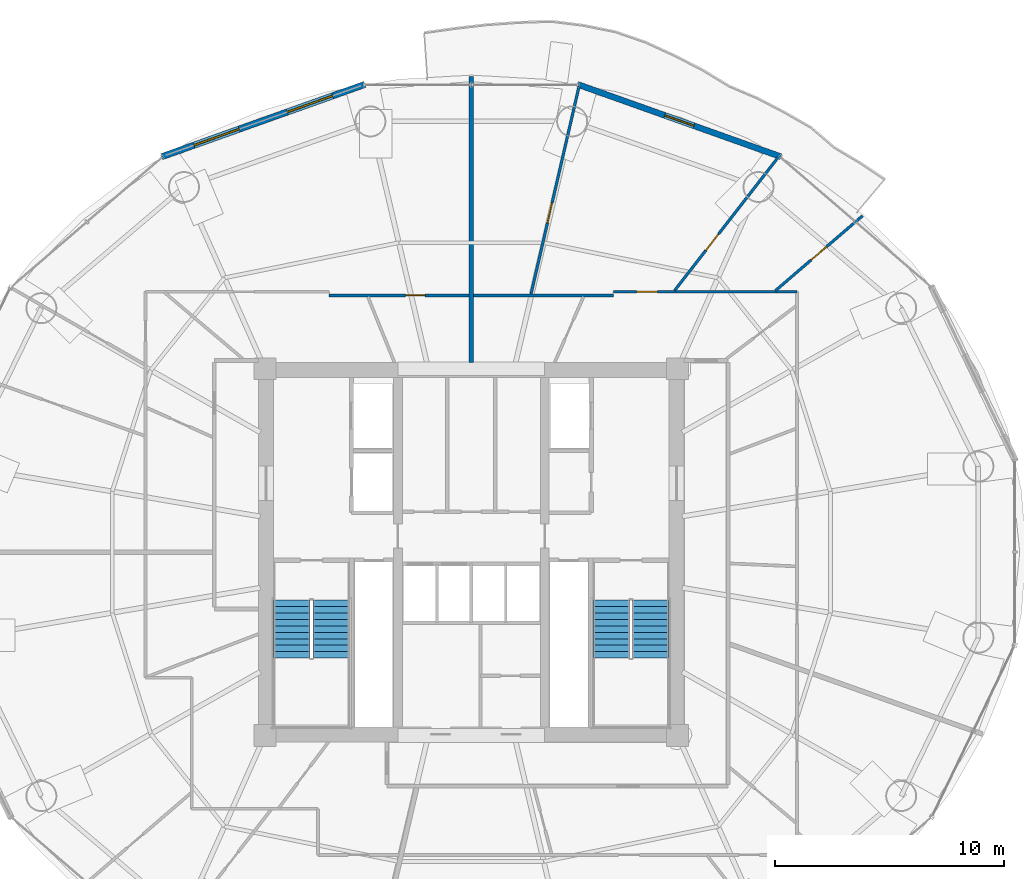
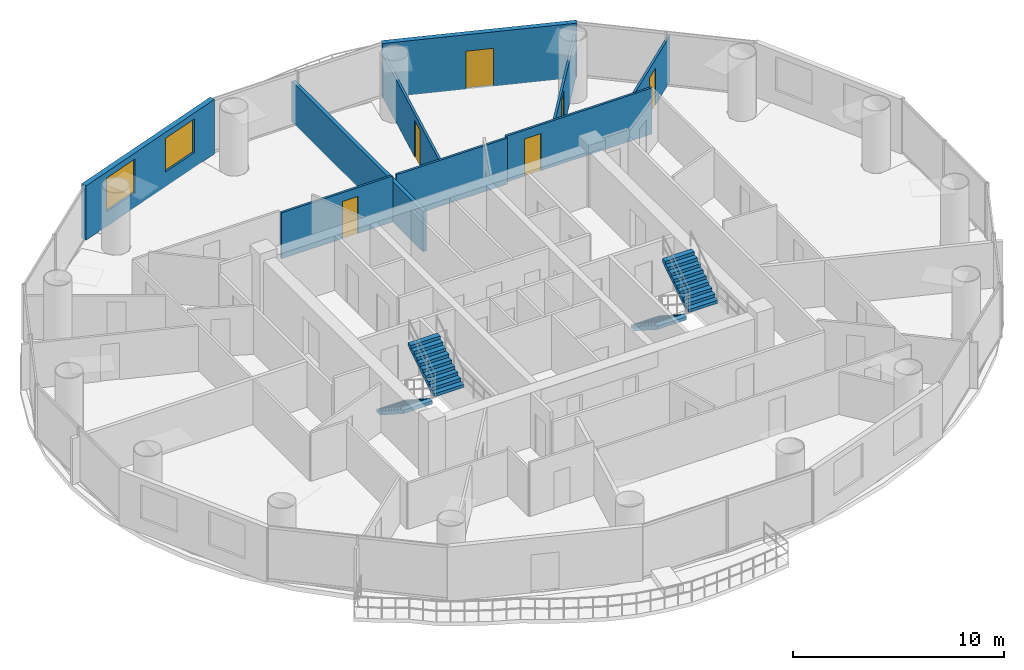
# One storey, part 23 of 26: 9 walls, 6 doors, 4 stair flights, 2 windows, 8 openings, 2 elements without a shape of their own.
"""IFC4 building model written with IfcOpenShell, lengths in metres."""

from ifc_helpers import new_model, si_unit, direction, frame, frame_2d, origin, place, context, subcontext, project, spatial, polyline, rectangle, outline, extrude, source, transform, mapped, material, layer, layer_set, type_object, element, fill, aggregate, save


model = new_model("IFC4")

# Units and contexts
model_context = context("Model", 3, precision=1e-05, world=origin(), true_north=direction((-0.2419218956, 0.970295726276)))
body_context = subcontext(model_context, "Body", "Model", "MODEL_VIEW")
ifc_project = project(units=[si_unit("LENGTHUNIT", "METRE"), si_unit("AREAUNIT", "SQUARE_METRE"), si_unit("VOLUMEUNIT", "CUBIC_METRE"), si_unit("PLANEANGLEUNIT", "RADIAN"), si_unit("MASSUNIT", "GRAM", prefix="KILO")], contexts=[model_context])

# Site, building, storey
site_placement = place(None, origin())
site = spatial("IfcSite", under=ifc_project, at=site_placement, CompositionType="ELEMENT")
building_placement = place(site_placement, origin())
building = spatial("IfcBuilding", under=site, at=building_placement, Name="Cobrevalo Terracotta Tower", CompositionType="ELEMENT")
storey_placement = place(building_placement, frame((0.0, 0.0, 182.199951171875)))
storey = spatial("IfcBuildingStorey", under=building, at=storey_placement, Name="L48", CompositionType="ELEMENT", Elevation=182.199951171875)

# Wall
ifc_material_1 = material(Name="Autoclaved aerated concrete block", Category="concrete")
ifc_layer_1 = layer(ifc_material_1, 0.199951171875)
ifc_layer_set_1 = layer_set([ifc_layer_1], Name="Autoclaved aerated concrete block")
wall_type_1 = type_object("IfcWallType", Name="Fire-rated stair, shaft & demising masonry wall 200 mm", PredefinedType="PARTITIONING", material=ifc_layer_set_1)
wall_1_placement = place(storey_placement, frame((38.0, 35.074951171875, 0.0), z_axis=(0.0, 0.0, 1.0), x_axis=(0.0, 1.0, 0.0)))
element("IfcWall", 1, at=wall_1_placement, inside=storey, type_object=wall_type_1, Name="L48 interior partition IW-L48-DEM-2", PredefinedType="PARTITIONING", context=body_context, shape_type="SweptSolid", body=[
    extrude(rectangle(XDim=12.465087890625, YDim=0.199951171875, at=frame_2d((6.232421875, 0.0))), origin(), (0.0, 0.0, 1.0), 2.340087890625),
])

# Wall, openings, windows
ifc_layer_2 = layer(ifc_material_1, 0.280029296875)
ifc_layer_set_2 = layer_set([ifc_layer_2], Name="Autoclaved aerated concrete block")
wall_type_2 = type_object("IfcWallType", Name="Insulated tower spandrel & pier wall 280 mm with terracotta rainscreen", PredefinedType="SOLIDWALL", material=ifc_layer_set_2)
wall_2_placement = place(storey_placement, frame((33.360107421875, 47.19775390625, 0.0), z_axis=(0.0, 0.0, 1.0), x_axis=(-0.942095406405, -0.335344964522, 0.0)))
wall_2 = element("IfcWall", 2, at=wall_2_placement, inside=storey, type_object=wall_type_2, Name="L48 terracotta rainscreen pier wall S05", PredefinedType="SOLIDWALL", context=body_context, shape_type="SweptSolid", body=[
    extrude(rectangle(XDim=9.408203125, YDim=0.280029296875, at=frame_2d((4.7041015625, 0.0))), origin(), (0.0, 0.0, 1.0), 3.150146484375),
])
opening_1_placement = place(wall_2_placement, frame((1.490234375, 0.0, 0.85009765625)))
opening_1 = element("IfcOpeningElement", 3, at=opening_1_placement, cuts=wall_2, Name="Opening WN-10", PredefinedType="OPENING", context=body_context, shape_type="SweptSolid", body=[
    extrude(rectangle(XDim=2.10009765625, YDim=1.949951171875, at=frame_2d((1.050048828125, 0.97509765625))), frame((0.0, 0.14990234375, 0.0), z_axis=(0.0, -1.0, 0.0), x_axis=(1.0, 0.0, 0.0)), (0.0, 0.0, 1.0), 0.300048828125),
])
opening_2_placement = place(wall_2_placement, frame((5.818115234375, 0.0, 0.85009765625)))
opening_2 = element("IfcOpeningElement", 4, at=opening_2_placement, cuts=wall_2, Name="Opening WN-10", PredefinedType="OPENING", context=body_context, shape_type="SweptSolid", body=[
    extrude(rectangle(XDim=2.10009765625, YDim=1.949951171875, at=frame_2d((1.050048828125, 0.97509765625))), frame((0.0, 0.14990234375, 0.0), z_axis=(0.0, -1.0, 0.0), x_axis=(1.0, 0.0, 0.0)), (0.0, 0.0, 1.0), 0.300048828125),
])
ifc_material_2 = material(Name="Solar-control low-E double glazing", Category="glass")
window_type = type_object("IfcWindowType", Name="Wide panoramic low-E aluminium window 2100x1950", PartitioningType="SINGLE_PANEL", PredefinedType="WINDOW", material=ifc_material_2)
shared_shape_1 = source(origin(), body_context, "Body", "SweptSolid", [
    extrude(rectangle(XDim=2.10009765625, YDim=1.949951171875, at=frame_2d((1.050048828125, 0.97509765625))), frame((0.0, 0.030029296875, 0.0), z_axis=(0.0, -1.0, 0.0), x_axis=(1.0, 0.0, 0.0)), (0.0, 0.0, 1.0), 0.06005859375),
])
window_1_placement = place(opening_1_placement, origin())
window_1 = element("IfcWindow", 5, at=window_1_placement, inside=storey, type_object=window_type, Name="L48 suite window S05A", OverallHeight=1.949951171875, OverallWidth=2.10009765625, PartitioningType="SINGLE_PANEL", PredefinedType="WINDOW", context=body_context, shape_type="MappedRepresentation", body=[
    mapped(shared_shape_1, transform((0.0, 0.0, 0.0), scale=1.0)),
])
fill(opening_1, window_1)
window_2_placement = place(opening_2_placement, origin())
window_2 = element("IfcWindow", 6, at=window_2_placement, inside=storey, type_object=window_type, Name="L48 suite window S05B", OverallHeight=1.949951171875, OverallWidth=2.10009765625, PartitioningType="SINGLE_PANEL", PredefinedType="WINDOW", context=body_context, shape_type="MappedRepresentation", body=[
    mapped(shared_shape_1, transform((0.0, 0.0, 0.0), scale=1.0)),
])
fill(opening_2, window_2)

# Wall, opening, door
ifc_layer_3 = layer(ifc_material_1, 0.260009765625)
ifc_layer_set_3 = layer_set([ifc_layer_3], Name="Autoclaved aerated concrete block")
wall_type_3 = type_object("IfcWallType", Name="Recessed balcony loggia insulated exterior wall 260 mm", PredefinedType="SOLIDWALL", material=ifc_layer_set_3)
wall_3_placement = place(storey_placement, frame((51.50341796875, 44.042724609375, 0.0), z_axis=(0.0, 0.0, 1.0), x_axis=(-0.942095406405, 0.335344964522, 0.0)))
wall_3 = element("IfcWall", 7, at=wall_3_placement, inside=storey, type_object=wall_type_3, Name="L48 balcony loggia wall S03", PredefinedType="SOLIDWALL", context=body_context, shape_type="SweptSolid", body=[
    extrude(rectangle(XDim=9.408203125, YDim=0.260009765625, at=frame_2d((4.7041015625, 0.0))), origin(), (0.0, 0.0, 1.0), 3.150146484375),
])
opening_3_placement = place(wall_3_placement, frame((4.029052734375, 0.0, 0.0)))
opening_3 = element("IfcOpeningElement", 8, at=opening_3_placement, cuts=wall_3, Name="Opening ED-05", PredefinedType="OPENING", context=body_context, shape_type="SweptSolid", body=[
    extrude(rectangle(XDim=1.35009765625, YDim=2.199951171875, at=frame_2d((0.675048828125, 1.10009765625))), frame((0.0, 0.14013671875, 0.0), z_axis=(0.0, -1.0, 0.0), x_axis=(1.0, 0.0, 0.0)), (0.0, 0.0, 1.0), 0.280029296875),
])
ifc_material_3 = material(Name="Anodized aluminium and laminated glass", Category="aluminium")
door_type_1 = type_object("IfcDoorType", Name="Suite balcony acoustic glazed terrace door 1350x2200", OperationType="NOTDEFINED", PredefinedType="DOOR", material=ifc_material_3)
shared_shape_2 = source(origin(), body_context, "Body", "SweptSolid", [
    extrude(rectangle(XDim=1.35009765625, YDim=2.199951171875, at=frame_2d((0.675048828125, 1.10009765625))), frame((0.0, 0.02490234375, 0.0), z_axis=(0.0, -1.0, 0.0), x_axis=(1.0, 0.0, 0.0)), (0.0, 0.0, 1.0), 0.050048828125),
])
door_1_placement = place(opening_3_placement, frame((1.35009765625, 0.0, 0.0), z_axis=(0.0, 0.0, 1.0), x_axis=(-1.0, 0.0, 0.0)))
door_1 = element("IfcDoor", 9, at=door_1_placement, inside=storey, type_object=door_type_1, Name="L48 glazed balcony terrace door 1", OperationType="SINGLE_SWING_LEFT", OverallHeight=2.199951171875, OverallWidth=1.35009765625, PredefinedType="DOOR", context=body_context, shape_type="MappedRepresentation", body=[
    mapped(shared_shape_2, transform((0.0, 0.0, 0.0), scale=1.0)),
])
fill(opening_3, door_1)

# Wall
ifc_material_4 = material(Name="Gypsum board on steel stud", Category="steel")
ifc_layer_4 = layer(ifc_material_4, 0.1201171875)
ifc_layer_set_4 = layer_set([ifc_layer_4], Name="Gypsum board on steel stud")
wall_type_4 = type_object("IfcWallType", Name="Residential internal acoustic stud partition 120 mm", PredefinedType="PARTITIONING", material=ifc_layer_set_4)
wall_4_placement = place(storey_placement, frame((38.10205078125, 37.9951171875, 0.0), z_axis=(0.0, 0.0, 1.0), x_axis=(1.0, 0.0, 0.0)))
element("IfcWall", 10, at=wall_4_placement, inside=storey, type_object=wall_type_4, Name="L48 interior partition IW-L48-U1-RING0_0", PredefinedType="PARTITIONING", context=body_context, shape_type="SweptSolid", body=[
    extrude(rectangle(XDim=6.093017578125, YDim=0.1201171875, at=frame_2d((3.04638671875, 0.0))), origin(), (0.0, 0.0, 1.0), 2.666015625),
])

# Wall, opening, door
wall_5_placement = place(storey_placement, frame((44.195068359375, 38.155029296875, 0.0), z_axis=(0.0, 0.0, 1.0), x_axis=(1.0, 0.0, 0.0)))
wall_5 = element("IfcWall", 11, at=wall_5_placement, inside=storey, type_object=wall_type_4, Name="L48 interior partition IW-L48-U1-RING2_0", PredefinedType="PARTITIONING", context=body_context, shape_type="SweptSolid", body=[
    extrude(rectangle(XDim=8.010009765625, YDim=0.1201171875, at=frame_2d((4.0048828125, 0.0))), origin(), (0.0, 0.0, 1.0), 2.666015625),
])
opening_4_placement = place(wall_5_placement, frame((1.018310546875, 0.0, 0.0)))
opening_4 = element("IfcOpeningElement", 12, at=opening_4_placement, cuts=wall_5, Name="Opening ID-12", PredefinedType="OPENING", context=body_context, shape_type="SweptSolid", body=[
    extrude(rectangle(XDim=0.89990234375, YDim=2.14990234375, at=frame_2d((0.449951171875, 1.074951171875))), frame((0.0, 0.070068359375, 0.0), z_axis=(0.0, -1.0, 0.0), x_axis=(1.0, 0.0, 0.0)), (0.0, 0.0, 1.0), 0.14013671875),
])
ifc_material_5 = material(Name="Engineered timber", Category="wood")
door_type_2 = type_object("IfcDoorType", Name="Internal residence & suite timber door 900x2150", OperationType="NOTDEFINED", PredefinedType="DOOR", material=ifc_material_5)
shared_shape_3 = source(origin(), body_context, "Body", "SweptSolid", [
    extrude(rectangle(XDim=0.89990234375, YDim=2.14990234375, at=frame_2d((0.449951171875, 1.074951171875))), frame((0.0, 0.02490234375, 0.0), z_axis=(0.0, -1.0, 0.0), x_axis=(1.0, 0.0, 0.0)), (0.0, 0.0, 1.0), 0.050048828125),
])
door_2_placement = place(opening_4_placement, origin())
door_2 = element("IfcDoor", 13, at=door_2_placement, inside=storey, type_object=door_type_2, Name="Flat L48A Penthouse Family Lounge internal door", OperationType="SINGLE_SWING_RIGHT", OverallHeight=2.14990234375, OverallWidth=0.89990234375, PredefinedType="DOOR", context=body_context, shape_type="MappedRepresentation", body=[
    mapped(shared_shape_3, transform((0.0, 0.0, 0.0), scale=1.0)),
])
fill(opening_4, door_2)

wall_6_placement = place(storey_placement, frame((51.258056640625, 38.1953125, 0.0), z_axis=(0.0, 0.0, 1.0), x_axis=(0.758369880373, 0.651824458381, 0.0)))
wall_6 = element("IfcWall", 14, at=wall_6_placement, inside=storey, type_object=wall_type_4, Name="L48 interior partition IW-L48-U1-ORAD1", PredefinedType="PARTITIONING", context=body_context, shape_type="SweptSolid", body=[
    extrude(rectangle(XDim=5.018310546875, YDim=0.1201171875, at=frame_2d((2.50927734375, 0.0))), origin(), (0.0, 0.0, 1.0), 2.666015625),
])
opening_5_placement = place(wall_6_placement, frame((2.05908203125, 0.0, 0.0)))
opening_5 = element("IfcOpeningElement", 15, at=opening_5_placement, cuts=wall_6, Name="Opening ID-12", PredefinedType="OPENING", context=body_context, shape_type="SweptSolid", body=[
    extrude(rectangle(XDim=0.89990234375, YDim=2.14990234375, at=frame_2d((0.449951171875, 1.074951171875))), frame((0.0, 0.070068359375, 0.0), z_axis=(0.0, -1.0, 0.0), x_axis=(1.0, 0.0, 0.0)), (0.0, 0.0, 1.0), 0.14013671875),
])
door_3_placement = place(opening_5_placement, frame((0.89990234375, 0.0, 0.0), z_axis=(0.0, 0.0, 1.0), x_axis=(-1.0, 0.0, 0.0)))
door_3 = element("IfcDoor", 16, at=door_3_placement, inside=storey, type_object=door_type_2, Name="Flat L48A Penthouse Living and Dining Room internal door", OperationType="SINGLE_SWING_LEFT", OverallHeight=2.14990234375, OverallWidth=0.89990234375, PredefinedType="DOOR", context=body_context, shape_type="MappedRepresentation", body=[
    mapped(shared_shape_3, transform((0.0, 0.0, 0.0), scale=1.0)),
])
fill(opening_5, door_3)

wall_7_placement = place(storey_placement, frame((46.865478515625, 38.203857421875, 0.0), z_axis=(0.0, 0.0, 1.0), x_axis=(0.613754405153, 0.789497010859, 0.0)))
wall_7 = element("IfcWall", 17, at=wall_7_placement, inside=storey, type_object=wall_type_4, Name="L48 interior partition IW-L48-U1-ORAD2M1", PredefinedType="PARTITIONING", context=body_context, shape_type="SweptSolid", body=[
    extrude(rectangle(XDim=7.35302734375, YDim=0.1201171875, at=frame_2d((3.676513671875, 0.0))), origin(), (0.0, 0.0, 1.0), 2.5),
])
opening_6_placement = place(wall_7_placement, frame((2.2236328125, 0.0, 0.0)))
opening_6 = element("IfcOpeningElement", 18, at=opening_6_placement, cuts=wall_7, Name="Opening ID-12", PredefinedType="OPENING", context=body_context, shape_type="SweptSolid", body=[
    extrude(rectangle(XDim=0.89990234375, YDim=2.14990234375, at=frame_2d((0.449951171875, 1.074951171875))), frame((0.0, 0.070068359375, 0.0), z_axis=(0.0, -1.0, 0.0), x_axis=(1.0, 0.0, 0.0)), (0.0, 0.0, 1.0), 0.14013671875),
])
door_4_placement = place(opening_6_placement, frame((0.89990234375, 0.0, 0.0), z_axis=(0.0, 0.0, 1.0), x_axis=(-1.0, 0.0, 0.0)))
door_4 = element("IfcDoor", 19, at=door_4_placement, inside=storey, type_object=door_type_2, Name="Flat L48A Master Bedroom internal door", OperationType="SINGLE_SWING_RIGHT", OverallHeight=2.14990234375, OverallWidth=0.89990234375, PredefinedType="DOOR", context=body_context, shape_type="MappedRepresentation", body=[
    mapped(shared_shape_3, transform((0.0, 0.0, 0.0), scale=1.0)),
])
fill(opening_6, door_4)

wall_8_placement = place(storey_placement, frame((40.604736328125, 38.055419921875, 0.0), z_axis=(0.0, 0.0, 1.0), x_axis=(0.225466493239, 0.974250922723, 0.0)))
wall_8 = element("IfcWall", 20, at=wall_8_placement, inside=storey, type_object=wall_type_4, Name="L48 interior partition IW-L48-U1-ORAD2M2", PredefinedType="PARTITIONING", context=body_context, shape_type="SweptSolid", body=[
    extrude(rectangle(XDim=9.281982421875, YDim=0.1201171875, at=frame_2d((4.64111328125, 0.0))), origin(), (0.0, 0.0, 1.0), 2.5),
])
opening_7_placement = place(wall_8_placement, frame((3.181884765625, 0.0, 0.0)))
opening_7 = element("IfcOpeningElement", 21, at=opening_7_placement, cuts=wall_8, Name="Opening ID-12", PredefinedType="OPENING", context=body_context, shape_type="SweptSolid", body=[
    extrude(rectangle(XDim=0.89990234375, YDim=2.14990234375, at=frame_2d((0.449951171875, 1.074951171875))), frame((0.0, 0.070068359375, 0.0), z_axis=(0.0, -1.0, 0.0), x_axis=(1.0, 0.0, 0.0)), (0.0, 0.0, 1.0), 0.14013671875),
])
door_5_placement = place(opening_7_placement, origin())
door_5 = element("IfcDoor", 22, at=door_5_placement, inside=storey, type_object=door_type_2, Name="Flat L48A Penthouse Family Lounge internal door", OperationType="SINGLE_SWING_LEFT", OverallHeight=2.14990234375, OverallWidth=0.89990234375, PredefinedType="DOOR", context=body_context, shape_type="MappedRepresentation", body=[
    mapped(shared_shape_3, transform((0.0, 0.0, 0.0), scale=1.0)),
])
fill(opening_7, door_5)

wall_9_placement = place(storey_placement, frame((31.804931640625, 37.9951171875, 0.0), z_axis=(0.0, 0.0, 1.0), x_axis=(1.0, 0.0, 0.0)))
wall_9 = element("IfcWall", 23, at=wall_9_placement, inside=storey, type_object=wall_type_4, Name="L48 interior partition IW-L48-U2-RING3_0", PredefinedType="PARTITIONING", context=body_context, shape_type="SweptSolid", body=[
    extrude(rectangle(XDim=6.093017578125, YDim=0.1201171875, at=frame_2d((3.04638671875, 0.0))), origin(), (0.0, 0.0, 1.0), 2.666015625),
])
opening_8_placement = place(wall_9_placement, frame((3.327392578125, 0.0, 0.0)))
opening_8 = element("IfcOpeningElement", 24, at=opening_8_placement, cuts=wall_9, Name="Opening ID-19", PredefinedType="OPENING", context=body_context, shape_type="SweptSolid", body=[
    extrude(rectangle(XDim=0.860107421875, YDim=2.14990234375, at=frame_2d((0.43017578125, 1.074951171875))), frame((0.0, 0.070068359375, 0.0), z_axis=(0.0, -1.0, 0.0), x_axis=(1.0, 0.0, 0.0)), (0.0, 0.0, 1.0), 0.14013671875),
])
ifc_material_6 = material(Name="Moisture-sealed timber", Category="wood")
door_type_3 = type_object("IfcDoorType", Name="Suite bathroom internal timber door 860x2150", OperationType="NOTDEFINED", PredefinedType="DOOR", material=ifc_material_6)
shared_shape_4 = source(origin(), body_context, "Body", "SweptSolid", [
    extrude(rectangle(XDim=0.860107421875, YDim=2.14990234375, at=frame_2d((0.43017578125, 1.074951171875))), frame((0.0, 0.02490234375, 0.0), z_axis=(0.0, -1.0, 0.0), x_axis=(1.0, 0.0, 0.0)), (0.0, 0.0, 1.0), 0.050048828125),
])
door_6_placement = place(opening_8_placement, frame((0.860107421875, 0.0, 0.0), z_axis=(0.0, 0.0, 1.0), x_axis=(-1.0, 0.0, 0.0)))
door_6 = element("IfcDoor", 25, at=door_6_placement, inside=storey, type_object=door_type_3, Name="Flat L48B Primary Bathroom internal door", OperationType="SINGLE_SWING_LEFT", OverallHeight=2.14990234375, OverallWidth=0.860107421875, PredefinedType="DOOR", context=body_context, shape_type="MappedRepresentation", body=[
    mapped(shared_shape_4, transform((0.0, 0.0, 0.0), scale=1.0)),
])
fill(opening_8, door_6)

# Stair, stair flights
ifc_material_7 = material(Name="Concrete C50", Category="concrete")
stair_type = type_object("IfcStairType", Name="Core protected escape dogleg stair 1600", PredefinedType="HALF_TURN_STAIR", material=ifc_material_7)
stair_1_placement = place(storey_placement, origin())
stair_1 = element("IfcStair", 26, at=stair_1_placement, inside=storey, type_object=stair_type, Name="L48 Protected exit stair ST-1", PredefinedType="HALF_TURN_STAIR")
stair_flight_type = type_object("IfcStairFlightType", Name="Core protected escape dogleg stair 1600 flight", PredefinedType="STRAIGHT", material=ifc_material_7)
stair_flight_1_placement = place(storey_placement, frame((30.175048828125, 24.699951171875, 0.0), z_axis=(0.0, 0.0, 1.0), x_axis=(0.0, -1.0, 0.0)))
stair_flight_1 = element("IfcStairFlight", 27, at=stair_flight_1_placement, type_object=stair_flight_type, Name="ST-1 flight 1", NumberOfRisers=10, NumberOfTreads=9, PredefinedType="STRAIGHT", RiserHeight=0.18, TreadLength=0.28, context=body_context, shape_type="SweptSolid", body=[
    extrude(outline(polyline([(0.0, 0.0), (0.0, 0.179931640625), (0.280029296875, 0.179931640625), (0.280029296875, 0.360107421875), (0.56005859375, 0.360107421875), (0.56005859375, 0.5400390625), (0.840087890625, 0.5400390625), (0.840087890625, 0.719970703125), (1.1201171875, 0.719970703125), (1.1201171875, 0.89990234375), (1.39990234375, 0.89990234375), (1.39990234375, 1.080078125), (1.679931640625, 1.080078125), (1.679931640625, 1.260009765625), (1.9599609375, 1.260009765625), (1.9599609375, 1.43994140625), (2.239990234375, 1.43994140625), (2.239990234375, 1.6201171875), (2.52001953125, 1.6201171875), (2.52001953125, 1.800048828125), (2.52001953125, 1.429931640625), (0.295654296875, 0.0), (0.0, 0.0)])), frame((0.0, 0.800048828125, 0.0), z_axis=(0.0, -1.0, 0.0), x_axis=(1.0, 0.0, 0.0)), (0.0, 0.0, 1.0), 1.60009765625),
])
stair_flight_2_placement = place(storey_placement, frame((31.89501953125, 22.179931640625, 1.800048828125), z_axis=(0.0, 0.0, 1.0), x_axis=(0.0, 1.0, 0.0)))
stair_flight_2 = element("IfcStairFlight", 28, at=stair_flight_2_placement, type_object=stair_flight_type, Name="ST-1 flight 2", NumberOfRisers=10, NumberOfTreads=9, PredefinedType="STRAIGHT", RiserHeight=0.18, TreadLength=0.28, context=body_context, shape_type="SweptSolid", body=[
    extrude(outline(polyline([(0.0, 0.0), (0.0, 0.179931640625), (0.280029296875, 0.179931640625), (0.280029296875, 0.360107421875), (0.56005859375, 0.360107421875), (0.56005859375, 0.5400390625), (0.840087890625, 0.5400390625), (0.840087890625, 0.719970703125), (1.1201171875, 0.719970703125), (1.1201171875, 0.89990234375), (1.39990234375, 0.89990234375), (1.39990234375, 1.080078125), (1.679931640625, 1.080078125), (1.679931640625, 1.260009765625), (1.9599609375, 1.260009765625), (1.9599609375, 1.43994140625), (2.239990234375, 1.43994140625), (2.239990234375, 1.6201171875), (2.52001953125, 1.6201171875), (2.52001953125, 1.800048828125), (2.52001953125, 1.429931640625), (0.295654296875, 0.0), (0.0, 0.0)])), frame((0.0, 0.800048828125, 0.0), z_axis=(0.0, -1.0, 0.0), x_axis=(1.0, 0.0, 0.0)), (0.0, 0.0, 1.0), 1.60009765625),
])
aggregate(stair_1, [stair_flight_1, stair_flight_2])

stair_2_placement = place(storey_placement, origin())
stair_2 = element("IfcStair", 29, at=stair_2_placement, inside=storey, type_object=stair_type, Name="L48 Protected exit stair ST-2", PredefinedType="HALF_TURN_STAIR")
stair_flight_3_placement = place(storey_placement, frame((44.10498046875, 24.699951171875, 0.0), z_axis=(0.0, 0.0, 1.0), x_axis=(0.0, -1.0, 0.0)))
stair_flight_3 = element("IfcStairFlight", 30, at=stair_flight_3_placement, type_object=stair_flight_type, Name="ST-2 flight 1", NumberOfRisers=10, NumberOfTreads=9, PredefinedType="STRAIGHT", RiserHeight=0.18, TreadLength=0.28, context=body_context, shape_type="SweptSolid", body=[
    extrude(outline(polyline([(0.0, 0.0), (0.0, 0.179931640625), (0.280029296875, 0.179931640625), (0.280029296875, 0.360107421875), (0.56005859375, 0.360107421875), (0.56005859375, 0.5400390625), (0.840087890625, 0.5400390625), (0.840087890625, 0.719970703125), (1.1201171875, 0.719970703125), (1.1201171875, 0.89990234375), (1.39990234375, 0.89990234375), (1.39990234375, 1.080078125), (1.679931640625, 1.080078125), (1.679931640625, 1.260009765625), (1.9599609375, 1.260009765625), (1.9599609375, 1.43994140625), (2.239990234375, 1.43994140625), (2.239990234375, 1.6201171875), (2.52001953125, 1.6201171875), (2.52001953125, 1.800048828125), (2.52001953125, 1.429931640625), (0.295654296875, 0.0), (0.0, 0.0)])), frame((0.0, 0.800048828125, 0.0), z_axis=(0.0, -1.0, 0.0), x_axis=(1.0, 0.0, 0.0)), (0.0, 0.0, 1.0), 1.60009765625),
])
stair_flight_4_placement = place(storey_placement, frame((45.824951171875, 22.179931640625, 1.800048828125), z_axis=(0.0, 0.0, 1.0), x_axis=(0.0, 1.0, 0.0)))
stair_flight_4 = element("IfcStairFlight", 31, at=stair_flight_4_placement, type_object=stair_flight_type, Name="ST-2 flight 2", NumberOfRisers=10, NumberOfTreads=9, PredefinedType="STRAIGHT", RiserHeight=0.18, TreadLength=0.28, context=body_context, shape_type="SweptSolid", body=[
    extrude(outline(polyline([(0.0, 0.0), (0.0, 0.179931640625), (0.280029296875, 0.179931640625), (0.280029296875, 0.360107421875), (0.56005859375, 0.360107421875), (0.56005859375, 0.5400390625), (0.840087890625, 0.5400390625), (0.840087890625, 0.719970703125), (1.1201171875, 0.719970703125), (1.1201171875, 0.89990234375), (1.39990234375, 0.89990234375), (1.39990234375, 1.080078125), (1.679931640625, 1.080078125), (1.679931640625, 1.260009765625), (1.9599609375, 1.260009765625), (1.9599609375, 1.43994140625), (2.239990234375, 1.43994140625), (2.239990234375, 1.6201171875), (2.52001953125, 1.6201171875), (2.52001953125, 1.800048828125), (2.52001953125, 1.429931640625), (0.295654296875, 0.0), (0.0, 0.0)])), frame((0.0, 0.800048828125, 0.0), z_axis=(0.0, -1.0, 0.0), x_axis=(1.0, 0.0, 0.0)), (0.0, 0.0, 1.0), 1.60009765625),
])
aggregate(stair_2, [stair_flight_3, stair_flight_4])

save(model, "model.ifc")
